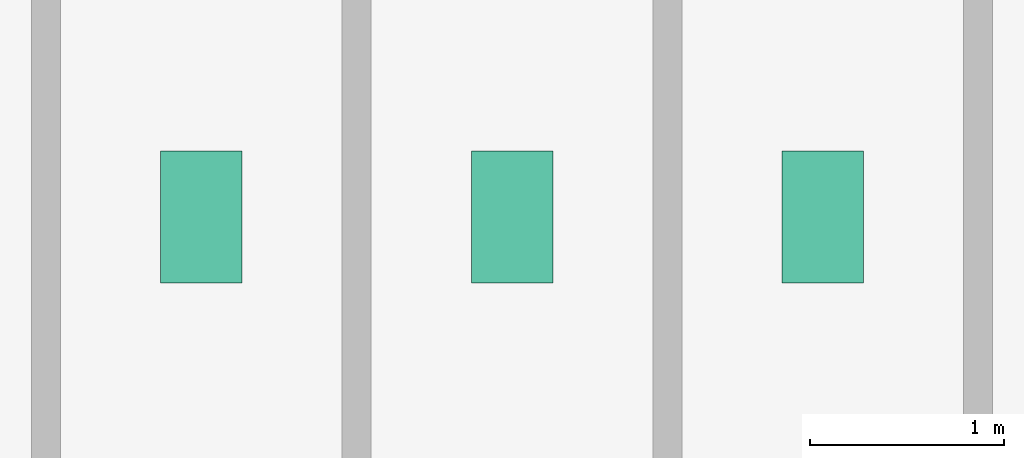
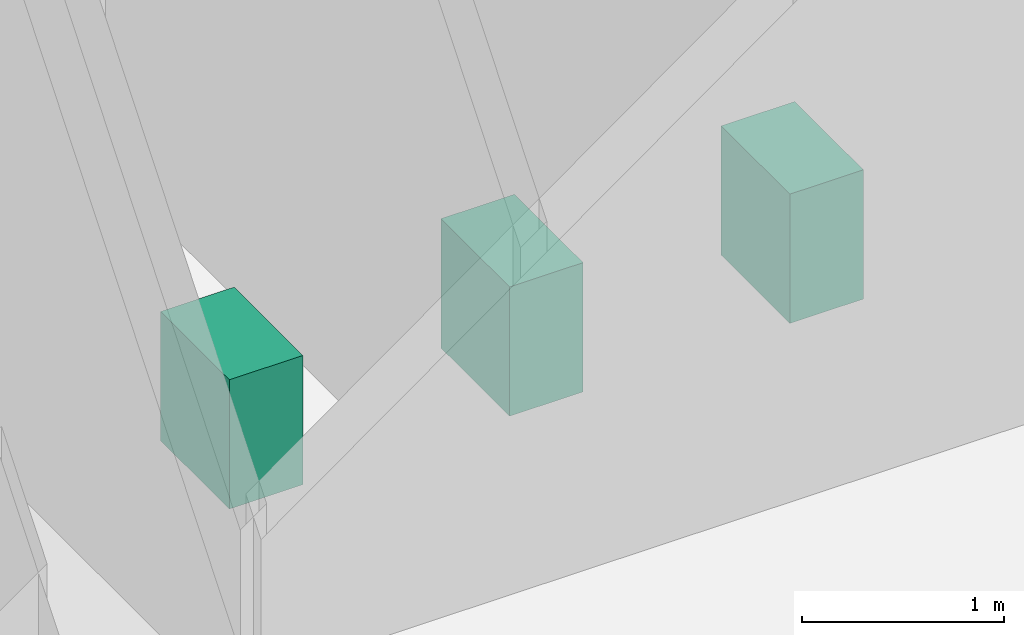
# One storey, part 23 of 23: 3 sanitary terminals.
"""IFC4 building model written with IfcOpenShell, lengths in metres."""

from ifc_helpers import new_model, si_unit, derived_unit, direction, frame, origin, origin_2d, place, context, subcontext, project, spatial, rectangle, extrude, source, transform, mapped, material, type_object, element, save


model = new_model("IFC4")

# Units and contexts
model_context = context("Model", 3, precision=1e-05, world=origin(), true_north=direction((0.0, 1.0)))
body_context = subcontext(model_context, "Body", "Model", "MODEL_VIEW")
ifc_project = project(units=[si_unit("LENGTHUNIT", "METRE"), si_unit("AREAUNIT", "SQUARE_METRE"), si_unit("VOLUMEUNIT", "CUBIC_METRE"), si_unit("PLANEANGLEUNIT", "RADIAN"), si_unit("MASSUNIT", "GRAM", prefix="KILO"), derived_unit("THERMALTRANSMITTANCEUNIT", [(si_unit("POWERUNIT", "WATT"), 1), (si_unit("LENGTHUNIT", "METRE"), -2), (si_unit("THERMODYNAMICTEMPERATUREUNIT", "KELVIN"), -1)])], contexts=[model_context])

# Site, building, storey
site_placement = place(None, origin())
site = spatial("IfcSite", under=ifc_project, at=site_placement, CompositionType="ELEMENT")
building_placement = place(site_placement, origin())
building = spatial("IfcBuilding", under=site, at=building_placement, Name="Skarnbrae Concourse Arena and Tower", CompositionType="ELEMENT")
storey_placement = place(building_placement, frame((0.0, 0.0, 140.60009765625)))
storey = spatial("IfcBuildingStorey", under=building, at=storey_placement, Name="L35", CompositionType="ELEMENT", Elevation=140.60009765625)

# Sanitary terminals
ifc_material = material(Name="Vitreous china sanitaryware", Category="other")
sanitary_terminal_type = type_object("IfcSanitaryTerminalType", Name="SAN-WC-VITREOUS", PredefinedType="TOILETPAN", material=ifc_material)
shared_shape = source(origin(), body_context, "Body", "SweptSolid", [
    extrude(rectangle(XDim=0.419921875, YDim=0.679931640625, at=origin_2d()), origin(), (0.0, 0.0, 1.0), 0.780029296875),
])
for number, where, z_axis, x_axis, name in (
    (1, (35.0, 11.39990234375, 0.0), (0.0, 0.0, 1.0), (1.0, 0.0, 0.0), "L35 Washroom WC fixture 1"),
    (2, (36.60009765625, 11.39990234375, 0.0), (0.0, 0.0, 1.0), (1.0, 0.0, 0.0), "L35 Washroom WC fixture 2"),
    (3, (38.199951171875, 11.39990234375, 0.0), (0.0, 0.0, 1.0), (1.0, 0.0, 0.0), "L35 Washroom WC fixture 3"),
):
    element("IfcSanitaryTerminal", number, at=place(storey_placement, frame(where, z_axis=z_axis, x_axis=x_axis)), inside=storey, type_object=sanitary_terminal_type, Name=name, PredefinedType="TOILETPAN", context=body_context, shape_type="MappedRepresentation", body=[
        mapped(shared_shape, transform((0.0, 0.0, 0.0))),
    ])

save(model, "model.ifc")
